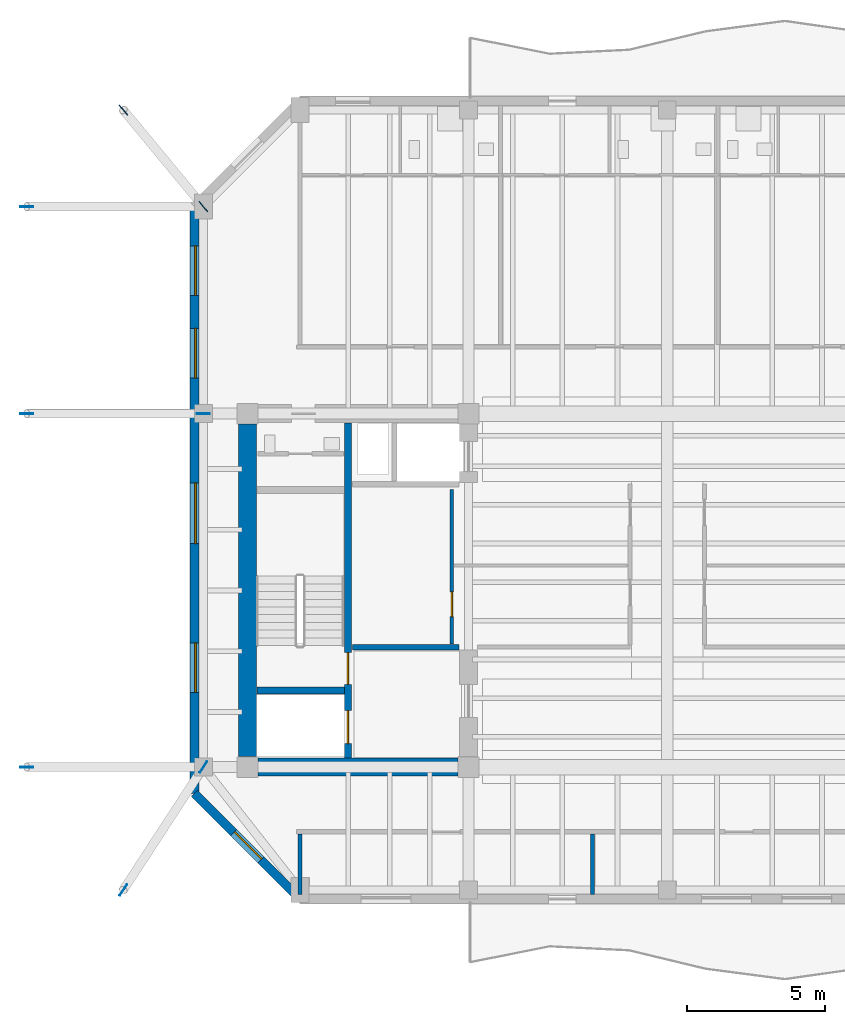
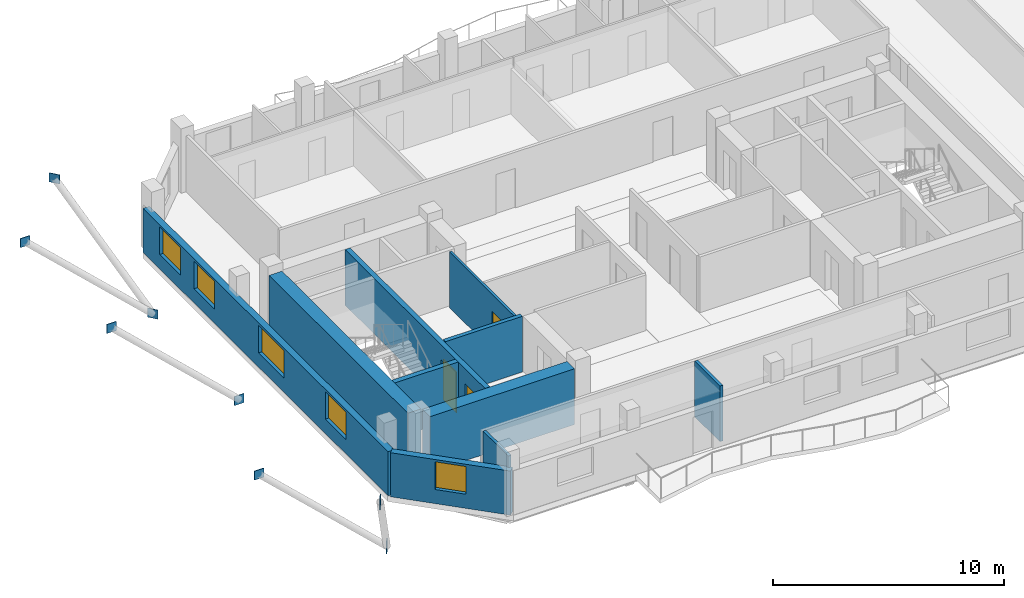
# One storey, part 3 of 10: 10 walls, 8 plates, 5 windows, 3 doors, 8 openings.
"""IFC4 building model written with IfcOpenShell, lengths in metres."""

from ifc_helpers import new_model, si_unit, direction, frame, frame_2d, origin, origin_2d, place, context, subcontext, project, spatial, rectangle, extrude, material, layer, layer_set, type_object, element, fill, save


model = new_model("IFC4")

# Units and contexts
model_context = context("Model", 3, precision=1e-05, world=origin(), true_north=direction((0.0, 1.0)))
body_context = subcontext(model_context, "Body", "Model", "MODEL_VIEW")
ifc_project = project(units=[si_unit("LENGTHUNIT", "METRE"), si_unit("AREAUNIT", "SQUARE_METRE"), si_unit("VOLUMEUNIT", "CUBIC_METRE"), si_unit("PLANEANGLEUNIT", "RADIAN"), si_unit("MASSUNIT", "GRAM", prefix="KILO")], contexts=[model_context])

# Site, building, storey
site_placement = place(None, origin())
site = spatial("IfcSite", under=ifc_project, at=site_placement, CompositionType="ELEMENT")
building_placement = place(site_placement, origin())
building = spatial("IfcBuilding", under=site, at=building_placement, Name="Kranthara Brick Stack", CompositionType="ELEMENT")
storey_placement = place(building_placement, frame((0.0, 0.0, 265.300048828125)))
storey = spatial("IfcBuildingStorey", under=building, at=storey_placement, Name="L70", CompositionType="ELEMENT", Elevation=265.300048828125)

# Plates
ifc_material_1 = material(Name="Steel S355", Category="steel")
ifc_layer_1 = layer(ifc_material_1, 0.030029296875)
ifc_layer_set_1 = layer_set([ifc_layer_1], Name="Steel S355")
plate_type = type_object("IfcPlateType", Name="PLT-GUSSET-30", PredefinedType="USERDEFINED", material=ifc_layer_set_1)
for number, where, z_axis, x_axis, name in (
    (1, (11.199951171875, 20.800048828125, -3.64013671875), (0.0, 0.0, 1.0), (0.546101961014, 0.83771871662, 0.0), "L70 Brace and Strut End Connection Gusset Plate 123"),
    (2, (8.300048828125, 16.35009765625, 2.409912109375), (0.0, 0.0, 1.0), (0.546101961014, 0.83771871662, 0.0), "L70 Brace and Strut End Connection Gusset Plate 124"),
    (3, (11.199951171875, 41.10009765625, -3.64013671875), (0.0, 0.0, 1.0), (-0.637423989749, 0.770513242776, 0.0), "L70 Brace and Strut End Connection Gusset Plate 125"),
    (4, (8.300048828125, 44.60009765625, 2.409912109375), (0.0, 0.0, 1.0), (-0.637423989749, 0.770513242776, 0.0), "L70 Brace and Strut End Connection Gusset Plate 126"),
    (5, (4.800048828125, 20.800048828125, 2.409912109375), (0.0, 0.0, 1.0), (1.0, 0.0, 0.0), "L70 Brace and Strut End Connection Gusset Plate 127"),
    (6, (11.199951171875, 33.60009765625, -3.64013671875), (0.0, 0.0, 1.0), (1.0, 0.0, 0.0), "L70 Brace and Strut End Connection Gusset Plate 128"),
    (7, (4.800048828125, 33.60009765625, 2.409912109375), (0.0, 0.0, 1.0), (1.0, 0.0, 0.0), "L70 Brace and Strut End Connection Gusset Plate 129"),
    (8, (4.800048828125, 41.10009765625, 2.409912109375), (0.0, 0.0, 1.0), (1.0, 0.0, 0.0), "L70 Brace and Strut End Connection Gusset Plate 130"),
):
    element("IfcPlate", number, at=place(storey_placement, frame(where, z_axis=z_axis, x_axis=x_axis)), inside=storey, type_object=plate_type, Name=name, ObjectType="GUSSET PLATE", PredefinedType="USERDEFINED", context=body_context, shape_type="SweptSolid", body=[
        extrude(rectangle(XDim=0.47998046875, YDim=0.030029296875, at=origin_2d()), origin(), (0.0, 0.0, 1.0), 0.47998046875),
    ])

# Wall, opening, window
ifc_material_2 = material(Name="Warm buff clay brick masonry M15", Category="masonry")
ifc_layer_2 = layer(ifc_material_2, 0.320068359375)
ifc_layer_set_2 = layer_set([ifc_layer_2], Name="Warm buff clay brick masonry M15")
wall_type_1 = type_object("IfcWallType", Name="WL-BRK-UPPR-320", PredefinedType="STANDARD", material=ifc_layer_set_2)
wall_1_placement = place(storey_placement, frame((14.699951171875, 16.030029296875, 0.0), z_axis=(0.0, 0.0, 1.0), x_axis=(-0.707106781187, 0.707106781187, 0.0)))
wall_1 = element("IfcWall", 9, at=wall_1_placement, inside=storey, type_object=wall_type_1, Name="L70 Exterior Brick Facade Wall SW 1", PredefinedType="STANDARD", context=body_context, shape_type="SweptSolid", body=[
    extrude(rectangle(XDim=5.40234375, YDim=0.320068359375, at=frame_2d((2.701171875, 0.0))), origin(), (0.0, 0.0, 1.0), 2.3349609375),
])
opening_1_placement = place(wall_1_placement, frame((2.0009765625, 0.0, 0.75)))
opening_1 = element("IfcOpeningElement", 10, at=opening_1_placement, cuts=wall_1, Name="Opening WN10", PredefinedType="OPENING", context=body_context, shape_type="SweptSolid", body=[
    extrude(rectangle(XDim=1.39990234375, YDim=1.465087890625, at=frame_2d((0.699951171875, 0.732421875))), frame((0.0, 0.169921875, 0.0), z_axis=(0.0, -1.0, 0.0), x_axis=(1.0, 0.0, 0.0)), (0.0, 0.0, 1.0), 0.340087890625),
])
ifc_material_3 = material(Name="Double-glazed low-E solar control glass", Category="glass")
window_type_1 = type_object("IfcWindowType", Name="WN-CHM-1400x1750", PartitioningType="SINGLE_PANEL", PredefinedType="WINDOW", material=ifc_material_3)
window_1_placement = place(opening_1_placement, origin())
window_1 = element("IfcWindow", 11, at=window_1_placement, inside=storey, type_object=window_type_1, Name="L70 SW Chamfer Corner Window", OverallHeight=1.465087890625, OverallWidth=1.39990234375, PartitioningType="SINGLE_PANEL", PredefinedType="WINDOW", context=body_context, shape_type="SweptSolid", body=[
    extrude(rectangle(XDim=1.39990234375, YDim=1.465087890625, at=frame_2d((0.699951171875, 0.732421875))), frame((0.0, -0.010009765625, 0.0), z_axis=(0.0, -1.0, 0.0), x_axis=(1.0, 0.0, 0.0)), (0.0, 0.0, 1.0), 0.06005859375),
])
fill(opening_1, window_1)

# Wall, openings, windows
wall_2_placement = place(storey_placement, frame((10.8798828125, 19.85009765625, 0.0), z_axis=(0.0, 0.0, 1.0), x_axis=(0.0, 1.0, 0.0)))
wall_2 = element("IfcWall", 12, at=wall_2_placement, inside=storey, type_object=wall_type_1, Name="L70 Exterior Brick Facade Wall WEST 1", PredefinedType="STANDARD", context=body_context, shape_type="SweptSolid", body=[
    extrude(rectangle(XDim=21.25, YDim=0.320068359375, at=frame_2d((10.625, 0.0))), origin(), (0.0, 0.0, 1.0), 2.3349609375),
])
opening_2_placement = place(wall_2_placement, frame((3.654052734375, 0.0, 0.75)))
opening_2 = element("IfcOpeningElement", 13, at=opening_2_placement, cuts=wall_2, Name="Opening WN07", PredefinedType="OPENING", context=body_context, shape_type="SweptSolid", body=[
    extrude(rectangle(XDim=1.800048828125, YDim=1.465087890625, at=frame_2d((0.89990234375, 0.732421875))), frame((0.0, 0.169921875, 0.0), z_axis=(0.0, -1.0, 0.0), x_axis=(1.0, 0.0, 0.0)), (0.0, 0.0, 1.0), 0.340087890625),
])
opening_3_placement = place(wall_2_placement, frame((9.0458984375, 0.0, 0.75)))
opening_3 = element("IfcOpeningElement", 14, at=opening_3_placement, cuts=wall_2, Name="Opening WN08", PredefinedType="OPENING", context=body_context, shape_type="SweptSolid", body=[
    extrude(rectangle(XDim=2.199951171875, YDim=1.465087890625, at=frame_2d((1.10009765625, 0.732421875))), frame((0.0, 0.169921875, 0.0), z_axis=(0.0, -1.0, 0.0), x_axis=(1.0, 0.0, 0.0)), (0.0, 0.0, 1.0), 0.340087890625),
])
opening_4_placement = place(wall_2_placement, frame((15.04296875, 0.0, 0.75)))
opening_4 = element("IfcOpeningElement", 15, at=opening_4_placement, cuts=wall_2, Name="Opening WN07", PredefinedType="OPENING", context=body_context, shape_type="SweptSolid", body=[
    extrude(rectangle(XDim=1.800048828125, YDim=1.465087890625, at=frame_2d((0.89990234375, 0.732421875))), frame((0.0, 0.169921875, 0.0), z_axis=(0.0, -1.0, 0.0), x_axis=(1.0, 0.0, 0.0)), (0.0, 0.0, 1.0), 0.340087890625),
])
opening_5_placement = place(wall_2_placement, frame((18.031982421875, 0.0, 0.75)))
opening_5 = element("IfcOpeningElement", 16, at=opening_5_placement, cuts=wall_2, Name="Opening WN07", PredefinedType="OPENING", context=body_context, shape_type="SweptSolid", body=[
    extrude(rectangle(XDim=1.800048828125, YDim=1.465087890625, at=frame_2d((0.89990234375, 0.732421875))), frame((0.0, 0.169921875, 0.0), z_axis=(0.0, -1.0, 0.0), x_axis=(1.0, 0.0, 0.0)), (0.0, 0.0, 1.0), 0.340087890625),
])
ifc_material_4 = material(Name="Double-glazed low-E solar control glass", Category="glass")
window_type_2 = type_object("IfcWindowType", Name="WN-RES-1800x1850", PartitioningType="DOUBLE_PANEL_VERTICAL", PredefinedType="WINDOW", material=ifc_material_4)
window_2_placement = place(opening_2_placement, origin())
window_2 = element("IfcWindow", 17, at=window_2_placement, inside=storey, type_object=window_type_2, Name="L70 West Deep-Set Brick Window 01", OverallHeight=1.465087890625, OverallWidth=1.800048828125, PartitioningType="SINGLE_PANEL", PredefinedType="WINDOW", context=body_context, shape_type="SweptSolid", body=[
    extrude(rectangle(XDim=1.800048828125, YDim=1.465087890625, at=frame_2d((0.89990234375, 0.732421875))), frame((0.0, -0.010009765625, 0.0), z_axis=(0.0, -1.0, 0.0), x_axis=(1.0, 0.0, 0.0)), (0.0, 0.0, 1.0), 0.06005859375),
])
fill(opening_2, window_2)
window_3_placement = place(opening_4_placement, origin())
window_3 = element("IfcWindow", 18, at=window_3_placement, inside=storey, type_object=window_type_2, Name="L70 West Deep-Set Brick Window 03", OverallHeight=1.465087890625, OverallWidth=1.800048828125, PartitioningType="SINGLE_PANEL", PredefinedType="WINDOW", context=body_context, shape_type="SweptSolid", body=[
    extrude(rectangle(XDim=1.800048828125, YDim=1.465087890625, at=frame_2d((0.89990234375, 0.732421875))), frame((0.0, -0.010009765625, 0.0), z_axis=(0.0, -1.0, 0.0), x_axis=(1.0, 0.0, 0.0)), (0.0, 0.0, 1.0), 0.06005859375),
])
fill(opening_4, window_3)
window_4_placement = place(opening_5_placement, origin())
window_4 = element("IfcWindow", 19, at=window_4_placement, inside=storey, type_object=window_type_2, Name="L70 West Deep-Set Brick Window 04", OverallHeight=1.465087890625, OverallWidth=1.800048828125, PartitioningType="SINGLE_PANEL", PredefinedType="WINDOW", context=body_context, shape_type="SweptSolid", body=[
    extrude(rectangle(XDim=1.800048828125, YDim=1.465087890625, at=frame_2d((0.89990234375, 0.732421875))), frame((0.0, -0.010009765625, 0.0), z_axis=(0.0, -1.0, 0.0), x_axis=(1.0, 0.0, 0.0)), (0.0, 0.0, 1.0), 0.06005859375),
])
fill(opening_5, window_4)
ifc_material_5 = material(Name="Double-glazed low-E solar control glass", Category="glass")
window_type_3 = type_object("IfcWindowType", Name="WN-RES-2200x1850", PartitioningType="TRIPLE_PANEL_VERTICAL", PredefinedType="WINDOW", material=ifc_material_5)
window_5_placement = place(opening_3_placement, origin())
window_5 = element("IfcWindow", 20, at=window_5_placement, inside=storey, type_object=window_type_3, Name="L70 West Deep-Set Brick Window 02", OverallHeight=1.465087890625, OverallWidth=2.199951171875, PartitioningType="SINGLE_PANEL", PredefinedType="WINDOW", context=body_context, shape_type="SweptSolid", body=[
    extrude(rectangle(XDim=2.199951171875, YDim=1.465087890625, at=frame_2d((1.10009765625, 0.732421875))), frame((0.0, -0.010009765625, 0.0), z_axis=(0.0, -1.0, 0.0), x_axis=(1.0, 0.0, 0.0)), (0.0, 0.0, 1.0), 0.06005859375),
])
fill(opening_3, window_5)

# Wall, openings, doors
ifc_material_6 = material(Name="Concrete C50/60", Category="concrete")
ifc_layer_3 = layer(ifc_material_6, 0.25)
ifc_layer_set_3 = layer_set([ifc_layer_3], Name="Concrete C50/60")
wall_type_2 = type_object("IfcWallType", Name="WL-CORE-250", PredefinedType="SHEAR", material=ifc_layer_set_3)
wall_3_placement = place(storey_placement, frame((16.43505859375, 21.135009765625, 0.0), z_axis=(0.0, 0.0, 1.0), x_axis=(0.0, 1.0, 0.0)))
wall_3 = element("IfcWall", 21, at=wall_3_placement, inside=storey, type_object=wall_type_2, Name="L70 West Core Stair Bearing Spine Wall", PredefinedType="SHEAR", context=body_context, shape_type="SweptSolid", body=[
    extrude(rectangle(XDim=12.1298828125, YDim=0.25, at=frame_2d((6.06494140625, 0.0))), origin(), (0.0, 0.0, 1.0), 2.949951171875),
])
opening_6_placement = place(wall_3_placement, frame((0.514892578125, 0.0, 0.0)))
opening_6 = element("IfcOpeningElement", 22, at=opening_6_placement, cuts=wall_3, Name="Opening LD01", PredefinedType="OPENING", context=body_context, shape_type="SweptSolid", body=[
    extrude(rectangle(XDim=1.199951171875, YDim=2.14990234375, at=frame_2d((0.60009765625, 1.074951171875))), frame((0.0, 0.135009765625, 0.0), z_axis=(0.0, -1.0, 0.0), x_axis=(1.0, 0.0, 0.0)), (0.0, 0.0, 1.0), 0.27001953125),
])
opening_7_placement = place(wall_3_placement, frame((2.6650390625, 0.0, 0.0)))
opening_7 = element("IfcOpeningElement", 23, at=opening_7_placement, cuts=wall_3, Name="Opening D05", PredefinedType="OPENING", context=body_context, shape_type="SweptSolid", body=[
    extrude(rectangle(XDim=1.14990234375, YDim=2.14990234375, at=frame_2d((0.574951171875, 1.074951171875))), frame((0.0, 0.135009765625, 0.0), z_axis=(0.0, -1.0, 0.0), x_axis=(1.0, 0.0, 0.0)), (0.0, 0.0, 1.0), 0.27001953125),
])
ifc_material_7 = material(Name="Stainless steel sliding landing door", Category="steel")
door_type_1 = type_object("IfcDoorType", Name="DR-LD-FF1200", OperationType="DOUBLE_DOOR_SLIDING", PredefinedType="DOOR", material=ifc_material_7)
door_1_placement = place(opening_6_placement, origin())
door_1 = element("IfcDoor", 24, at=door_1_placement, inside=storey, type_object=door_type_1, Name="L70 Firefighting Lift FF-01 Landing Door", OperationType="DOUBLE_DOOR_SLIDING", OverallHeight=2.14990234375, OverallWidth=1.199951171875, PredefinedType="DOOR", context=body_context, shape_type="SweptSolid", body=[
    extrude(rectangle(XDim=1.199951171875, YDim=2.14990234375, at=frame_2d((0.60009765625, 1.074951171875))), frame((0.0, 0.02490234375, 0.0), z_axis=(0.0, -1.0, 0.0), x_axis=(1.0, 0.0, 0.0)), (0.0, 0.0, 1.0), 0.050048828125),
])
fill(opening_6, door_1)
ifc_material_8 = material(Name="Solid-core hardwood timber leaf in steel frame", Category="steel")
door_type_2 = type_object("IfcDoorType", Name="DR-ST-1150", OperationType="NOTDEFINED", PredefinedType="DOOR", material=ifc_material_8)
door_2_placement = place(opening_7_placement, origin())
door_2 = element("IfcDoor", 25, at=door_2_placement, inside=storey, type_object=door_type_2, Name="L70 Exit Stair ST01 Door", OperationType="SINGLE_SWING_RIGHT", OverallHeight=2.14990234375, OverallWidth=1.14990234375, PredefinedType="DOOR", context=body_context, shape_type="SweptSolid", body=[
    extrude(rectangle(XDim=1.14990234375, YDim=2.14990234375, at=frame_2d((0.574951171875, 1.074951171875))), frame((0.0, 0.02490234375, 0.0), z_axis=(0.0, -1.0, 0.0), x_axis=(1.0, 0.0, 0.0)), (0.0, 0.0, 1.0), 0.050048828125),
])
fill(opening_7, door_2)

# Walls
wall_4_placement = place(storey_placement, frame((13.135009765625, 23.570068359375, 0.0), z_axis=(0.0, 0.0, 1.0), x_axis=(1.0, 0.0, 0.0)))
element("IfcWall", 26, at=wall_4_placement, inside=storey, type_object=wall_type_2, Name="L70 West Stairwell Bearing Wall WFF", PredefinedType="SHEAR", context=body_context, shape_type="SweptSolid", body=[
    extrude(rectangle(XDim=3.175048828125, YDim=0.25, at=frame_2d((1.58740234375, 0.0))), origin(), (0.0, 0.0, 1.0), 2.949951171875),
])
ifc_material_9 = material(Name="Concrete C60/75", Category="concrete")
ifc_layer_4 = layer(ifc_material_9, 0.64990234375)
ifc_layer_set_4 = layer_set([ifc_layer_4], Name="Concrete C60/75")
wall_type_3 = type_object("IfcWallType", Name="WL-CORE-650", PredefinedType="SHEAR", material=ifc_layer_set_4)
wall_5_placement = place(storey_placement, frame((12.800048828125, 21.179931640625, 0.0), z_axis=(0.0, 0.0, 1.0), x_axis=(0.0, 1.0, 0.0)))
element("IfcWall", 27, at=wall_5_placement, inside=storey, type_object=wall_type_3, Name="L70 West Core Shear Wall West", PredefinedType="SHEAR", context=body_context, shape_type="SweptSolid", body=[
    extrude(rectangle(XDim=12.0400390625, YDim=0.64990234375, at=frame_2d((6.02001953125, 0.0))), origin(), (0.0, 0.0, 1.0), 2.949951171875),
])
wall_6_placement = place(storey_placement, frame((13.179931640625, 20.800048828125, 0.0), z_axis=(0.0, 0.0, 1.0), x_axis=(1.0, 0.0, 0.0)))
element("IfcWall", 28, at=wall_6_placement, inside=storey, type_object=wall_type_3, Name="L70 West Core Shear Wall South", PredefinedType="SHEAR", context=body_context, shape_type="SweptSolid", body=[
    extrude(rectangle(XDim=7.239990234375, YDim=0.64990234375, at=frame_2d((3.6201171875, 0.0))), origin(), (0.0, 0.0, 1.0), 2.949951171875),
])

# Wall, opening, door
ifc_material_10 = material(Name="Acoustic gypsum plasterboard partition", Category="other")
ifc_layer_5 = layer(ifc_material_10, 0.1201171875)
ifc_layer_set_5 = layer_set([ifc_layer_5], Name="Acoustic gypsum plasterboard partition")
wall_type_4 = type_object("IfcWallType", Name="WL-PART-120", PredefinedType="PARTITIONING", material=ifc_layer_set_5)
wall_7_placement = place(storey_placement, frame((20.199951171875, 25.2548828125, 0.0), z_axis=(0.0, 0.0, 1.0), x_axis=(0.0, 1.0, 0.0)))
wall_7 = element("IfcWall", 29, at=wall_7_placement, inside=storey, type_object=wall_type_4, Name="L70 Interior Partition 007", PredefinedType="PARTITIONING", context=body_context, shape_type="SweptSolid", body=[
    extrude(rectangle(XDim=5.59521484375, YDim=0.1201171875, at=frame_2d((2.797607421875, 0.0))), origin(), (0.0, 0.0, 1.0), 2.949951171875),
])
opening_8_placement = place(wall_7_placement, frame((0.9951171875, 0.0, 0.0)))
opening_8 = element("IfcOpeningElement", 30, at=opening_8_placement, cuts=wall_7, Name="Opening D15", PredefinedType="OPENING", context=body_context, shape_type="SweptSolid", body=[
    extrude(rectangle(XDim=0.89990234375, YDim=2.050048828125, at=frame_2d((0.449951171875, 1.02490234375))), frame((0.0, 0.070068359375, 0.0), z_axis=(0.0, -1.0, 0.0), x_axis=(1.0, 0.0, 0.0)), (0.0, 0.0, 1.0), 0.14013671875),
])
ifc_material_11 = material(Name="Solid-core hardwood timber leaf in steel frame", Category="steel")
door_type_3 = type_object("IfcDoorType", Name="DR-INT-900", OperationType="NOTDEFINED", PredefinedType="DOOR", material=ifc_material_11)
door_3_placement = place(opening_8_placement, origin())
door_3 = element("IfcDoor", 31, at=door_3_placement, inside=storey, type_object=door_type_3, Name="L70 Music Room Door 04", OperationType="SINGLE_SWING_RIGHT", OverallHeight=2.050048828125, OverallWidth=0.89990234375, PredefinedType="DOOR", context=body_context, shape_type="SweptSolid", body=[
    extrude(rectangle(XDim=0.89990234375, YDim=2.050048828125, at=frame_2d((0.449951171875, 1.02490234375))), frame((0.0, 0.02490234375, 0.0), z_axis=(0.0, -1.0, 0.0), x_axis=(1.0, 0.0, 0.0)), (0.0, 0.0, 1.0), 0.050048828125),
])
fill(opening_8, door_3)

# Walls
ifc_material_12 = material(Name="Fire-rated gypsum board partition", Category="other")
ifc_layer_6 = layer(ifc_material_12, 0.14990234375)
ifc_layer_set_6 = layer_set([ifc_layer_6], Name="Fire-rated gypsum board partition")
wall_type_5 = type_object("IfcWallType", Name="WL-PART-150", PredefinedType="PARTITIONING", material=ifc_layer_set_6)
for number, where, z_axis, x_axis, name in (
    (32, (14.699951171875, 16.195068359375, 0.0), (0.0, 0.0, 1.0), (0.0, 1.0, 0.0), "L70 Interior Partition 013"),
    (33, (25.298095703125, 16.195068359375, 0.0), (0.0, 0.0, 1.0), (0.0, 1.0, 0.0), "L70 Interior Partition 014"),
):
    element("IfcWall", number, at=place(storey_placement, frame(where, z_axis=z_axis, x_axis=x_axis)), inside=storey, type_object=wall_type_5, Name=name, PredefinedType="PARTITIONING", context=body_context, shape_type="SweptSolid", body=[
        extrude(rectangle(XDim=2.184814453125, YDim=0.14990234375, at=frame_2d((1.09228515625, 0.0))), origin(), (0.0, 0.0, 1.0), 2.949951171875),
    ])
ifc_material_13 = material(Name="Concrete C40/50", Category="concrete")
ifc_layer_7 = layer(ifc_material_13, 0.199951171875)
ifc_layer_set_7 = layer_set([ifc_layer_7], Name="Concrete C40/50")
wall_type_6 = type_object("IfcWallType", Name="WL-PART-200", PredefinedType="SOLIDWALL", material=ifc_layer_set_7)
wall_8_placement = place(storey_placement, frame((16.60009765625, 25.14990234375, 0.0), z_axis=(0.0, 0.0, 1.0), x_axis=(1.0, 0.0, 0.0)))
element("IfcWall", 34, at=wall_8_placement, inside=storey, type_object=wall_type_6, Name="L70 West Core Cross Wall WFL", PredefinedType="SOLIDWALL", context=body_context, shape_type="SweptSolid", body=[
    extrude(rectangle(XDim=3.849853515625, YDim=0.199951171875, at=frame_2d((1.9248046875, 0.0))), origin(), (0.0, 0.0, 1.0), 2.949951171875),
])

save(model, "model.ifc")
